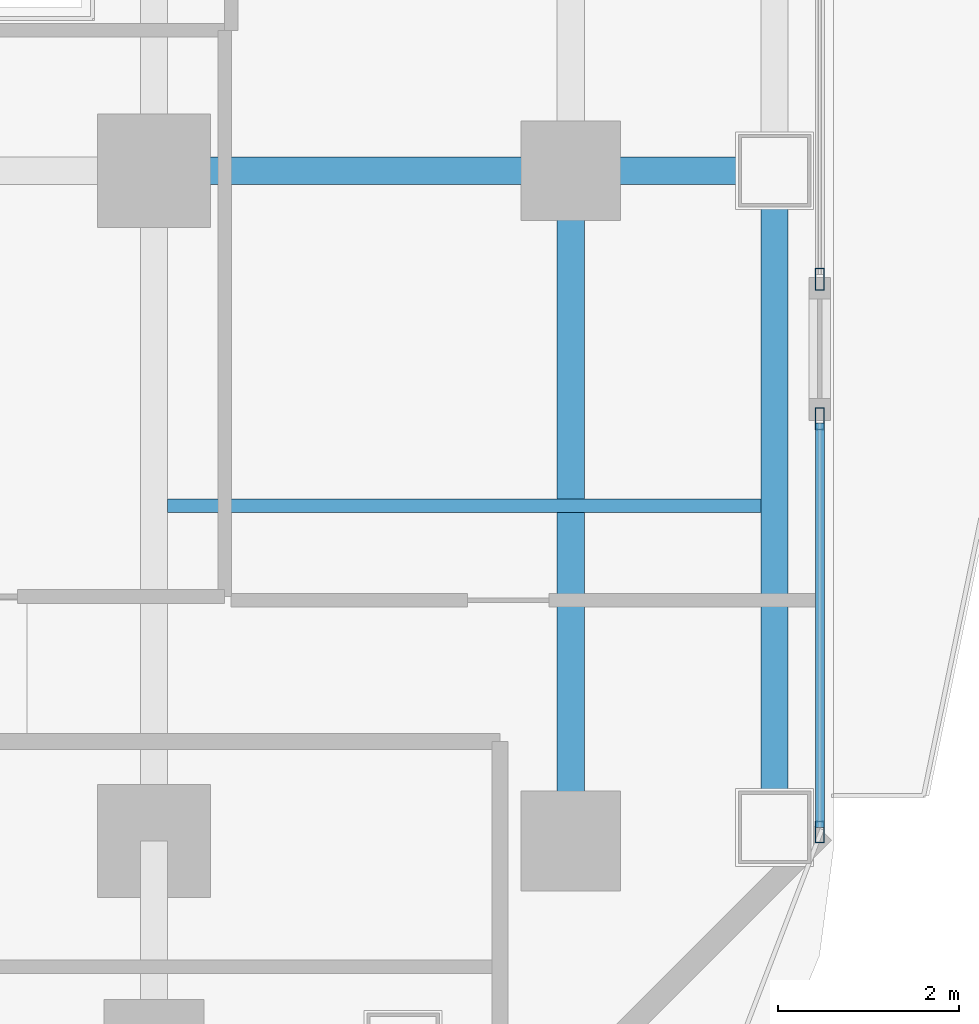
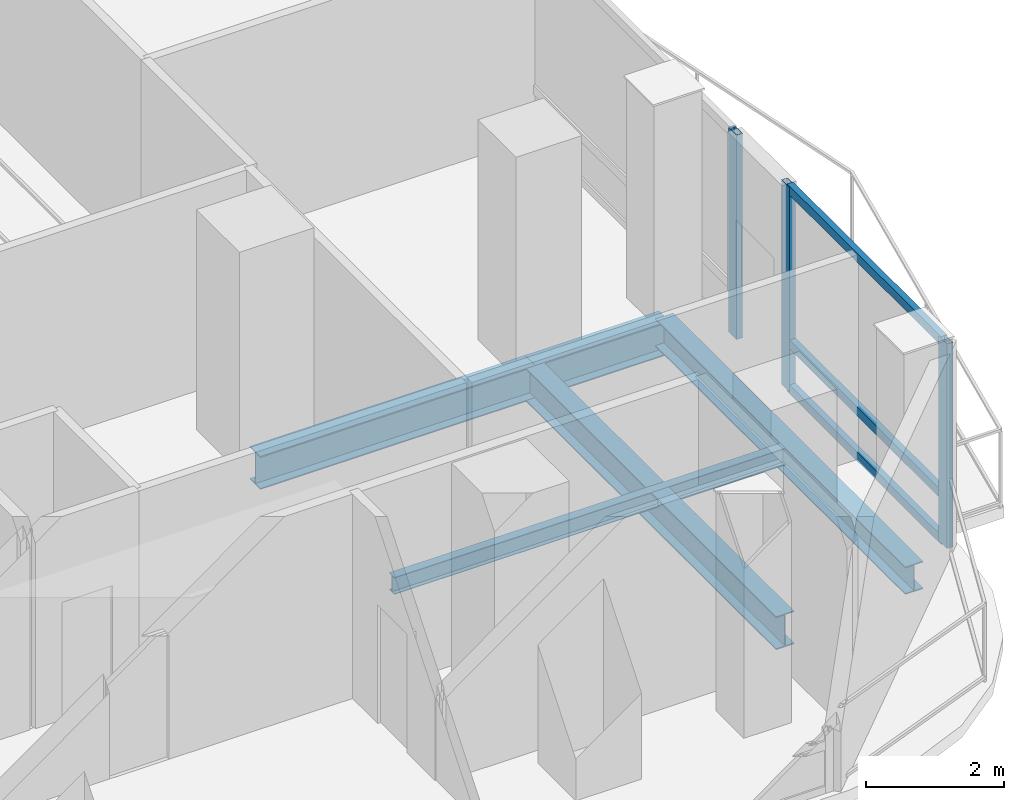
# One storey, part 9 of 28: 6 members, 5 beams, 2 elements without a shape of their own.
"""IFC4 building model written with IfcOpenShell, lengths in metres."""

from ifc_helpers import new_model, si_unit, direction, frame, origin, origin_2d, place, context, subcontext, project, spatial, hollow_rectangle, i_section, extrude, material, layer, layer_set, material_profile, profile_set, type_object, element, aggregate, save


model = new_model("IFC4")

# Units and contexts
model_context = context("Model", 3, precision=1e-05, world=origin(), true_north=direction((0.0, 1.0)))
body_context = subcontext(model_context, "Body", "Model", "MODEL_VIEW")
ifc_project = project(units=[si_unit("LENGTHUNIT", "METRE"), si_unit("AREAUNIT", "SQUARE_METRE"), si_unit("VOLUMEUNIT", "CUBIC_METRE"), si_unit("PLANEANGLEUNIT", "RADIAN"), si_unit("MASSUNIT", "GRAM", prefix="KILO")], contexts=[model_context])

# Site, building, storey
site_placement = place(None, origin())
site = spatial("IfcSite", under=ifc_project, at=site_placement, CompositionType="ELEMENT")
building_placement = place(site_placement, origin())
building = spatial("IfcBuilding", under=site, at=building_placement, Name="Khorvyn Point Tower", CompositionType="ELEMENT")
storey_placement = place(building_placement, frame((0.0, 0.0, 104.699951171875)))
storey = spatial("IfcBuildingStorey", under=building, at=storey_placement, Name="L26", CompositionType="ELEMENT", Elevation=104.699951171875)

# Curtain wall, member
ifc_material_1 = material(Name="Anodised aluminium 6063-T6 and laminated Low-E glass", Category="aluminium")
ifc_layer = layer(ifc_material_1, 0.18994140625)
ifc_layer_set = layer_set([ifc_layer], Name="Stick-Built Finned Residential Curtain Wall CW-SYS-02")
curtain_wall_type = type_object("IfcCurtainWallType", Name="Stick-Built Finned Residential Curtain Wall CW-SYS-02", PredefinedType="NOTDEFINED", material=ifc_layer_set)
curtain_wall_1_placement = place(storey_placement, origin())
curtain_wall_1 = element("IfcCurtainWall", 1, at=curtain_wall_1_placement, inside=storey, type_object=curtain_wall_type, Name="Curtain Wall", PredefinedType="NOTDEFINED")
ifc_material_2 = material(Name="Anodised aluminium 6063-T6", Category="aluminium")
ifc_material_profile_1 = material_profile(ifc_material_2, hollow_rectangle(XDim=0.10009765625, YDim=0.239990234375, WallThickness=0.0048828125, at=origin_2d()))
ifc_profile_set_1 = profile_set([ifc_material_profile_1], Name="Anodised aluminium 6063-T6 ALU-MUL-100x240")
member_type_1 = type_object("IfcMemberType", Name="Anodised Aluminium 6063-T6 Mullion ALU-MUL-100x240", PredefinedType="MULLION", material=ifc_profile_set_1)
member_1_placement = place(storey_placement, frame((22.14990234375, -8.596923828125, 0.0), z_axis=(0.0, 0.0, 1.0), x_axis=(1.0, 0.0, 0.0)))
member_1 = element("IfcMember", 2, at=member_1_placement, type_object=member_type_1, Name="Transom", PredefinedType="MULLION", context=body_context, shape_type="SweptSolid", body=[
    extrude(hollow_rectangle(XDim=0.10009765625, YDim=0.239990234375, WallThickness=0.0048828125, at=origin_2d()), origin(), (0.0, 0.0, 1.0), 3.6201171875),
])
aggregate(curtain_wall_1, [member_1])

# Curtain wall, members
curtain_wall_2_placement = place(storey_placement, origin())
curtain_wall_2 = element("IfcCurtainWall", 3, at=curtain_wall_2_placement, inside=storey, type_object=curtain_wall_type, Name="Curtain Wall", PredefinedType="NOTDEFINED")
member_2_placement = place(storey_placement, frame((22.14990234375, -10.136962890625, 0.0), z_axis=(0.0, 0.0, 1.0), x_axis=(1.0, 0.0, 0.0)))
member_2 = element("IfcMember", 4, at=member_2_placement, type_object=member_type_1, Name="Transom", PredefinedType="MULLION", context=body_context, shape_type="SweptSolid", body=[
    extrude(hollow_rectangle(XDim=0.10009765625, YDim=0.239990234375, WallThickness=0.0048828125, at=origin_2d()), origin(), (0.0, 0.0, 1.0), 3.6201171875),
])
member_3_placement = place(storey_placement, frame((22.14990234375, -14.699951171875, 0.0), z_axis=(0.0, 0.0, 1.0), x_axis=(1.0, 0.0, 0.0)))
member_3 = element("IfcMember", 5, at=member_3_placement, type_object=member_type_1, Name="Transom", PredefinedType="MULLION", context=body_context, shape_type="SweptSolid", body=[
    extrude(hollow_rectangle(XDim=0.10009765625, YDim=0.239990234375, WallThickness=0.0048828125, at=origin_2d()), origin(), (0.0, 0.0, 1.0), 3.6201171875),
])
ifc_material_profile_2 = material_profile(ifc_material_2, hollow_rectangle(XDim=0.10009765625, YDim=0.159912109375, WallThickness=0.00439453125, at=origin_2d()))
ifc_profile_set_2 = profile_set([ifc_material_profile_2], Name="Anodised aluminium 6063-T6 ALU-TRN-100x160")
member_type_2 = type_object("IfcMemberType", Name="Anodised Aluminium 6063-T6 Transom ALU-TRN-100x160", PredefinedType="USERDEFINED", material=ifc_profile_set_2)
member_4_placement = place(storey_placement, frame((22.14990234375, -10.18701171875, 0.050048828125), z_axis=(0.0, -1.0, 0.0), x_axis=(1.0, 0.0, 0.0)))
member_4 = element("IfcMember", 6, at=member_4_placement, type_object=member_type_2, Name="Transom", ObjectType="TRANSOM", PredefinedType="USERDEFINED", context=body_context, shape_type="SweptSolid", body=[
    extrude(hollow_rectangle(XDim=0.10009765625, YDim=0.159912109375, WallThickness=0.00439453125, at=origin_2d()), origin(), (0.0, 0.0, 1.0), 4.462890625),
])
member_5_placement = place(storey_placement, frame((22.14990234375, -10.18701171875, 0.85009765625), z_axis=(0.0, -1.0, 0.0), x_axis=(1.0, 0.0, 0.0)))
member_5 = element("IfcMember", 7, at=member_5_placement, type_object=member_type_2, Name="Transom", ObjectType="TRANSOM", PredefinedType="USERDEFINED", context=body_context, shape_type="SweptSolid", body=[
    extrude(hollow_rectangle(XDim=0.10009765625, YDim=0.159912109375, WallThickness=0.00439453125, at=origin_2d()), origin(), (0.0, 0.0, 1.0), 4.462890625),
])
member_6_placement = place(storey_placement, frame((22.14990234375, -10.18701171875, 3.570068359375), z_axis=(0.0, -1.0, 0.0), x_axis=(1.0, 0.0, 0.0)))
member_6 = element("IfcMember", 8, at=member_6_placement, type_object=member_type_2, Name="Transom", ObjectType="TRANSOM", PredefinedType="USERDEFINED", context=body_context, shape_type="SweptSolid", body=[
    extrude(hollow_rectangle(XDim=0.10009765625, YDim=0.159912109375, WallThickness=0.00439453125, at=origin_2d()), origin(), (0.0, 0.0, 1.0), 4.462890625),
])
aggregate(curtain_wall_2, [member_2, member_3, member_4, member_5, member_6])

# Beams
ifc_material_3 = material(Name="Steel S355", Category="steel")
ifc_material_profile_3 = material_profile(ifc_material_3, i_section(OverallWidth=0.300048828125, OverallDepth=0.587890625, WebThickness=0.011962890625, FlangeThickness=0.02001953125, at=origin_2d()))
ifc_profile_set_3 = profile_set([ifc_material_profile_3], Name="Steel S355 H588x300x12x20")
beam_type_1 = type_object("IfcBeamType", Name="Steel S355 Beam H588x300x12x20", PredefinedType="BEAM", material=ifc_profile_set_3)
beam_1_placement = place(storey_placement, frame((14.800048828125, -7.39990234375, -0.513916015625), z_axis=(1.0, 0.0, 0.0), x_axis=(0.0, 1.0, 0.0)))
element("IfcBeam", 9, at=beam_1_placement, inside=storey, type_object=beam_type_1, Name="Beam", PredefinedType="BEAM", context=body_context, shape_type="SweptSolid", body=[
    extrude(i_section(OverallWidth=0.300048828125, OverallDepth=0.587890625, WebThickness=0.011962890625, FlangeThickness=0.02001953125, at=origin_2d()), origin(), (0.0, 0.0, 1.0), 4.599853515625),
])
beam_2_placement = place(storey_placement, frame((19.39990234375, -7.39990234375, -0.513916015625), z_axis=(1.0, 0.0, 0.0), x_axis=(0.0, 1.0, 0.0)))
element("IfcBeam", 10, at=beam_2_placement, inside=storey, type_object=beam_type_1, Name="Beam", PredefinedType="BEAM", context=body_context, shape_type="SweptSolid", body=[
    extrude(i_section(OverallWidth=0.300048828125, OverallDepth=0.587890625, WebThickness=0.011962890625, FlangeThickness=0.02001953125, at=origin_2d()), origin(), (0.0, 0.0, 1.0), 2.25),
])
beam_3_placement = place(storey_placement, frame((19.39990234375, -14.800048828125, -0.513916015625), z_axis=(0.0, 1.0, 0.0), x_axis=(-1.0, 0.0, 0.0)))
element("IfcBeam", 11, at=beam_3_placement, inside=storey, type_object=beam_type_1, Name="Beam", PredefinedType="BEAM", context=body_context, shape_type="SweptSolid", body=[
    extrude(i_section(OverallWidth=0.300048828125, OverallDepth=0.587890625, WebThickness=0.011962890625, FlangeThickness=0.02001953125, at=origin_2d()), origin(), (0.0, 0.0, 1.0), 7.400146484375),
])
ifc_material_profile_4 = material_profile(ifc_material_3, i_section(OverallWidth=0.14990234375, OverallDepth=0.300048828125, WebThickness=0.006591796875, FlangeThickness=0.009033203125, at=origin_2d()))
ifc_profile_set_4 = profile_set([ifc_material_profile_4], Name="Steel S355 H300x150x6.5x9")
beam_type_2 = type_object("IfcBeamType", Name="Steel S355 Joist H300x150x6.5x9", PredefinedType="JOIST", material=ifc_profile_set_4)
beam_4_placement = place(storey_placement, frame((14.949951171875, -11.10009765625, -0.369873046875), z_axis=(1.0, 0.0, 0.0), x_axis=(0.0, 1.0, 0.0)))
element("IfcBeam", 12, at=beam_4_placement, inside=storey, type_object=beam_type_2, Name="Beam", PredefinedType="JOIST", context=body_context, shape_type="SweptSolid", body=[
    extrude(i_section(OverallWidth=0.14990234375, OverallDepth=0.300048828125, WebThickness=0.006591796875, FlangeThickness=0.009033203125, at=origin_2d()), origin(), (0.0, 0.0, 1.0), 6.550048828125),
])
ifc_material_profile_5 = material_profile(ifc_material_3, i_section(OverallWidth=0.300048828125, OverallDepth=0.488037109375, WebThickness=0.010986328125, FlangeThickness=0.01806640625, at=origin_2d()))
ifc_profile_set_5 = profile_set([ifc_material_profile_5], Name="Steel S355 H488x300x11x18")
beam_type_3 = type_object("IfcBeamType", Name="Steel S355 Spandrel H488x300x11x18", PredefinedType="SPANDREL", material=ifc_profile_set_5)
beam_5_placement = place(storey_placement, frame((21.64990234375, -14.64990234375, -0.4638671875), z_axis=(0.0, 1.0, 0.0), x_axis=(-1.0, 0.0, 0.0)))
element("IfcBeam", 13, at=beam_5_placement, inside=storey, type_object=beam_type_3, Name="Beam", PredefinedType="SPANDREL", context=body_context, shape_type="SweptSolid", body=[
    extrude(i_section(OverallWidth=0.300048828125, OverallDepth=0.488037109375, WebThickness=0.010986328125, FlangeThickness=0.01806640625, at=origin_2d()), origin(), (0.0, 0.0, 1.0), 7.25),
])

save(model, "model.ifc")
